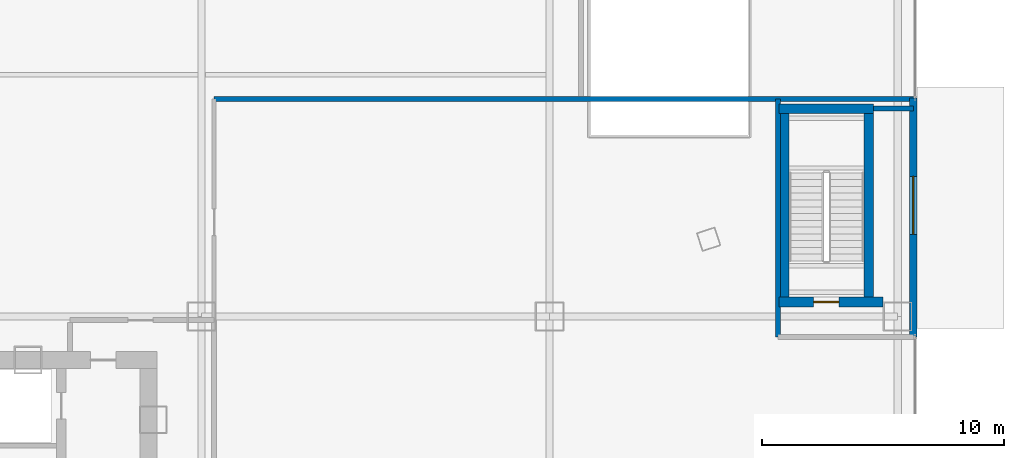
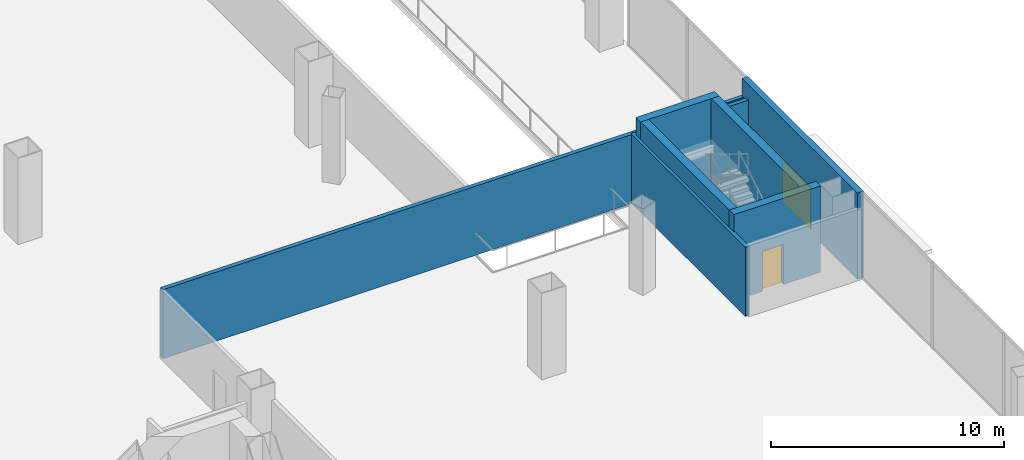
# One storey, part 52 of 58: 8 walls, 2 doors, 2 openings.
"""IFC4 building model written with IfcOpenShell, lengths in metres."""

from ifc_helpers import new_model, si_unit, direction, frame, frame_2d, origin, place, context, subcontext, project, spatial, rectangle, extrude, source, transform, mapped, material, layer, layer_set, type_object, element, fill, save


model = new_model("IFC4")

# Units and contexts
model_context = context("Model", 3, precision=1e-05, world=origin(), true_north=direction((0.0, 1.0)))
body_context = subcontext(model_context, "Body", "Model", "MODEL_VIEW")
ifc_project = project(units=[si_unit("LENGTHUNIT", "METRE"), si_unit("AREAUNIT", "SQUARE_METRE"), si_unit("VOLUMEUNIT", "CUBIC_METRE"), si_unit("PLANEANGLEUNIT", "RADIAN"), si_unit("MASSUNIT", "GRAM", prefix="KILO"), si_unit("THERMODYNAMICTEMPERATUREUNIT", "KELVIN"), si_unit("POWERUNIT", "WATT")], contexts=[model_context])

# Site, building, storey
site_placement = place(None, origin())
site = spatial("IfcSite", under=ifc_project, at=site_placement, CompositionType="ELEMENT")
building_placement = place(site_placement, origin())
building = spatial("IfcBuilding", under=site, at=building_placement, Name="Yunzhuo Pagoda Commons", CompositionType="ELEMENT")
storey_placement = place(building_placement, origin())
storey = spatial("IfcBuildingStorey", under=building, at=storey_placement, Name="L01", CompositionType="ELEMENT", Elevation=0.0)

# Wall, opening, door
ifc_material_1 = material(Name="Precast concrete C40", Category="concrete")
ifc_layer_1 = layer(ifc_material_1, 0.300048828125)
ifc_layer_set_1 = layer_set([ifc_layer_1], Name="Precast concrete C40")
wall_type_1 = type_object("IfcWallType", Name="W-EXT1 Podium Precast Spandrel Wall 300", PredefinedType="STANDARD", material=ifc_layer_set_1)
wall_1_placement = place(storey_placement, frame((91.85009765625, 41.14990234375, 0.0), z_axis=(0.0, 0.0, 1.0), x_axis=(0.0, 1.0, 0.0)))
wall_1 = element("IfcWall", 1, at=wall_1_placement, inside=storey, type_object=wall_type_1, Name="L01 east stair vestibule facade wall", PredefinedType="STANDARD", context=body_context, shape_type="SweptSolid", body=[
    extrude(rectangle(XDim=9.900146484375, YDim=0.300048828125, at=frame_2d((4.9501953125, 0.0))), origin(), (0.0, 0.0, 1.0), 4.52001953125),
])
opening_1_placement = place(wall_1_placement, frame((4.25, 0.0, 0.0)))
opening_1 = element("IfcOpeningElement", 2, at=opening_1_placement, cuts=wall_1, Name="Opening D-EXT1", PredefinedType="OPENING", context=body_context, shape_type="SweptSolid", body=[
    extrude(rectangle(XDim=2.39990234375, YDim=2.199951171875, at=frame_2d((1.199951171875, 1.10009765625))), frame((0.0, 0.16015625, 0.0), z_axis=(0.0, -1.0, 0.0), x_axis=(1.0, 0.0, 0.0)), (0.0, 0.0, 1.0), 0.320068359375),
])
ifc_material_2 = material(Name="Anodized aluminium frame and tempered glazed leaf", Category="aluminium")
door_type_1 = type_object("IfcDoorType", Name="D-EXT1 Double Glazed Pedestrian Exit Door 2400x2200", OperationType="DOUBLE_DOOR_SINGLE_SWING", PredefinedType="DOOR", material=ifc_material_2)
shared_shape_1 = source(origin(), body_context, "Body", "SweptSolid", [
    extrude(rectangle(XDim=2.39990234375, YDim=2.199951171875, at=frame_2d((1.199951171875, 1.10009765625))), frame((0.0, 0.02490234375, 0.0), z_axis=(0.0, -1.0, 0.0), x_axis=(1.0, 0.0, 0.0)), (0.0, 0.0, 1.0), 0.050048828125),
])
door_1_placement = place(opening_1_placement, frame((2.39990234375, 0.0, 0.0), z_axis=(0.0, 0.0, 1.0), x_axis=(-1.0, 0.0, 0.0)))
door_1 = element("IfcDoor", 3, at=door_1_placement, inside=storey, type_object=door_type_1, Name="PS4 east exit plaza discharge door", OperationType="DOUBLE_DOOR_SINGLE_SWING", OverallHeight=2.199951171875, OverallWidth=2.39990234375, PredefinedType="DOOR", context=body_context, shape_type="MappedRepresentation", body=[
    mapped(shared_shape_1, transform((0.0, 0.0, 0.0), scale=1.0)),
])
fill(opening_1, door_1)

# Wall
ifc_material_3 = material(Name="Concrete C60", Category="concrete")
ifc_layer_2 = layer(ifc_material_3, 0.39990234375)
ifc_layer_set_2 = layer_set([ifc_layer_2], Name="Concrete C60")
wall_type_2 = type_object("IfcWallType", Name="W-S01 Internal Core Shear Web 400", PredefinedType="SHEAR", material=ifc_layer_set_2)
wall_2_placement = place(storey_placement, frame((86.300048828125, 50.60009765625, 0.0), z_axis=(0.0, 0.0, 1.0), x_axis=(1.0, 0.0, 0.0)))
element("IfcWall", 4, at=wall_2_placement, inside=storey, type_object=wall_type_2, Name="L01 PS4 structural stair wall N", PredefinedType="SHEAR", context=body_context, shape_type="SweptSolid", body=[
    extrude(rectangle(XDim=3.89990234375, YDim=0.39990234375, at=frame_2d((1.949951171875, 0.0))), origin(), (0.0, 0.0, 1.0), 4.52001953125),
])

# Wall, opening, door
wall_3_placement = place(storey_placement, frame((86.300048828125, 42.60009765625, 0.0), z_axis=(0.0, 0.0, 1.0), x_axis=(1.0, 0.0, 0.0)))
wall_3 = element("IfcWall", 5, at=wall_3_placement, inside=storey, type_object=wall_type_2, Name="L01 PS4 structural stair wall S", PredefinedType="SHEAR", context=body_context, shape_type="SweptSolid", body=[
    extrude(rectangle(XDim=4.300048828125, YDim=0.39990234375, at=frame_2d((2.14990234375, 0.0))), origin(), (0.0, 0.0, 1.0), 4.52001953125),
])
opening_2_placement = place(wall_3_placement, frame((1.419921875, 0.0, 0.0)))
opening_2 = element("IfcOpeningElement", 6, at=opening_2_placement, cuts=wall_3, Name="Opening D-01", PredefinedType="OPENING", context=body_context, shape_type="SweptSolid", body=[
    extrude(rectangle(XDim=1.050048828125, YDim=2.10009765625, at=frame_2d((0.52490234375, 1.050048828125))), frame((0.0, 0.2099609375, 0.0), z_axis=(0.0, -1.0, 0.0), x_axis=(1.0, 0.0, 0.0)), (0.0, 0.0, 1.0), 0.419921875),
])
ifc_material_4 = material(Name="Galvanized fire-resisting metal leaf")
door_type_2 = type_object("IfcDoorType", Name="D-01 Smokeproof Stair Fire Door 1050x2100", OperationType="NOTDEFINED", PredefinedType="DOOR", material=ifc_material_4)
shared_shape_2 = source(origin(), body_context, "Body", "SweptSolid", [
    extrude(rectangle(XDim=1.050048828125, YDim=2.10009765625, at=frame_2d((0.52490234375, 1.050048828125))), frame((0.0, 0.02490234375, 0.0), z_axis=(0.0, -1.0, 0.0), x_axis=(1.0, 0.0, 0.0)), (0.0, 0.0, 1.0), 0.050048828125),
])
door_2_placement = place(opening_2_placement, frame((1.050048828125, 0.0, 0.0), z_axis=(0.0, 0.0, 1.0), x_axis=(-1.0, 0.0, 0.0)))
door_2 = element("IfcDoor", 7, at=door_2_placement, inside=storey, type_object=door_type_2, Name="L01 PS4 exit discharge door", OperationType="SINGLE_SWING_RIGHT", OverallHeight=2.10009765625, OverallWidth=1.050048828125, PredefinedType="DOOR", context=body_context, shape_type="MappedRepresentation", body=[
    mapped(shared_shape_2, transform((0.0, 0.0, 0.0), scale=1.0)),
])
fill(opening_2, door_2)

# Walls
for number, where, z_axis, x_axis, name in (
    (8, (86.5, 42.800048828125, 0.0), (0.0, 0.0, 1.0), (0.0, 1.0, 0.0), "L01 PS4 structural stair wall W"),
    (9, (90.0, 42.800048828125, 0.0), (0.0, 0.0, 1.0), (0.0, 1.0, 0.0), "L01 PS4 structural stair wall E"),
):
    element("IfcWall", number, at=place(storey_placement, frame(where, z_axis=z_axis, x_axis=x_axis)), inside=storey, type_object=wall_type_2, Name=name, PredefinedType="SHEAR", context=body_context, shape_type="SweptSolid", body=[
        extrude(rectangle(XDim=7.599853515625, YDim=0.39990234375, at=frame_2d((3.7998046875, 0.0))), origin(), (0.0, 0.0, 1.0), 4.52001953125),
    ])
ifc_material_5 = material(Name="Concrete C40", Category="concrete")
ifc_layer_3 = layer(ifc_material_5, 0.199951171875)
ifc_layer_set_3 = layer_set([ifc_layer_3], Name="Concrete C40")
wall_type_3 = type_object("IfcWallType", Name="W-SHF Shaft & Stair Enclosure Wall 200", PredefinedType="SOLIDWALL", material=ifc_layer_set_3)
wall_4_placement = place(storey_placement, frame((86.25, 41.14990234375, 0.0), z_axis=(0.0, 0.0, 1.0), x_axis=(0.0, 1.0, 0.0)))
element("IfcWall", 10, at=wall_4_placement, inside=storey, type_object=wall_type_3, Name="L01 interior wall IW-L01-VSTPS4W", PredefinedType="SOLIDWALL", context=body_context, shape_type="SweptSolid", body=[
    extrude(rectangle(XDim=9.85009765625, YDim=0.199951171875, at=frame_2d((4.925048828125, 0.0))), origin(), (0.0, 0.0, 1.0), 3.6201171875),
])
wall_5_placement = place(storey_placement, frame((90.199951171875, 50.60009765625, 0.0), z_axis=(0.0, 0.0, 1.0), x_axis=(1.0, 0.0, 0.0)))
element("IfcWall", 11, at=wall_5_placement, inside=storey, type_object=wall_type_3, Name="L01 interior wall IW-L01-VSTPS4N", PredefinedType="SOLIDWALL", context=body_context, shape_type="SweptSolid", body=[
    extrude(rectangle(XDim=1.650146484375, YDim=0.199951171875, at=frame_2d((0.8251953125, 0.0))), origin(), (0.0, 0.0, 1.0), 3.719970703125),
])
wall_6_placement = place(storey_placement, frame((62.919921875, 51.0, 0.0), z_axis=(0.0, 0.0, 1.0), x_axis=(1.0, 0.0, 0.0)))
element("IfcWall", 12, at=wall_6_placement, inside=storey, type_object=wall_type_3, Name="L01 interior wall IW-L01-RMPS", PredefinedType="SOLIDWALL", context=body_context, shape_type="SweptSolid", body=[
    extrude(rectangle(XDim=29.0, YDim=0.199951171875, at=frame_2d((14.5, 0.0))), origin(), (0.0, 0.0, 1.0), 3.6201171875),
])

save(model, "model.ifc")
